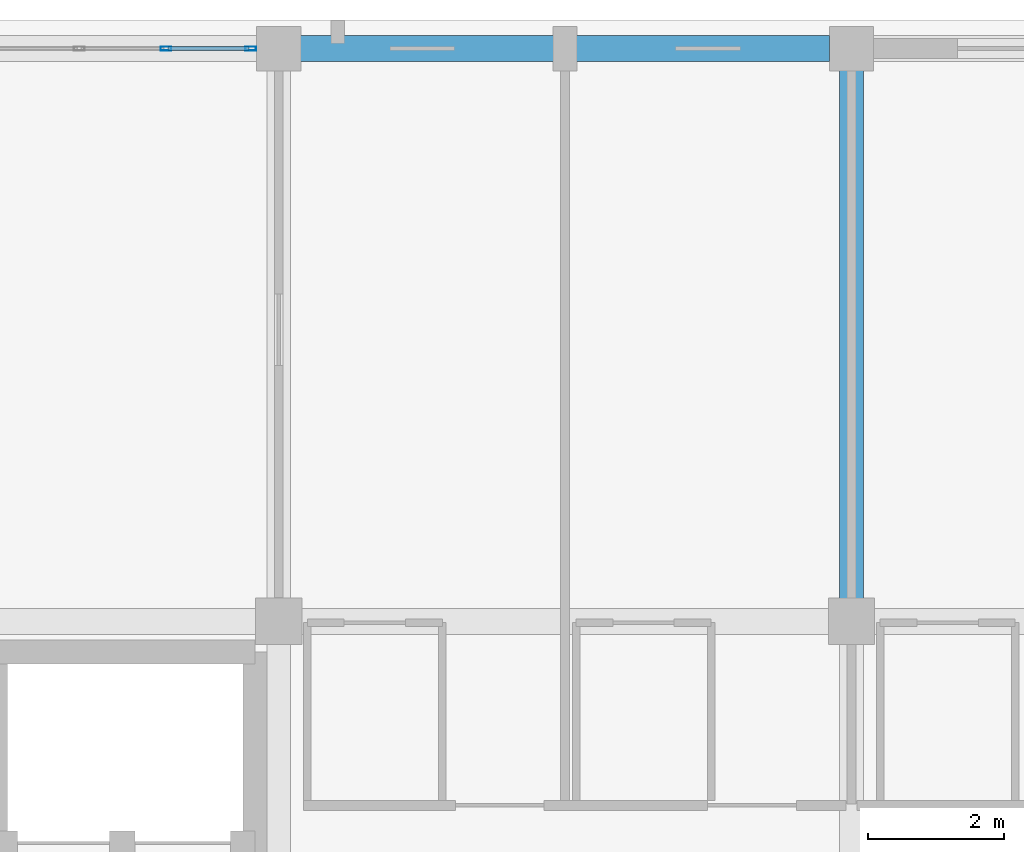
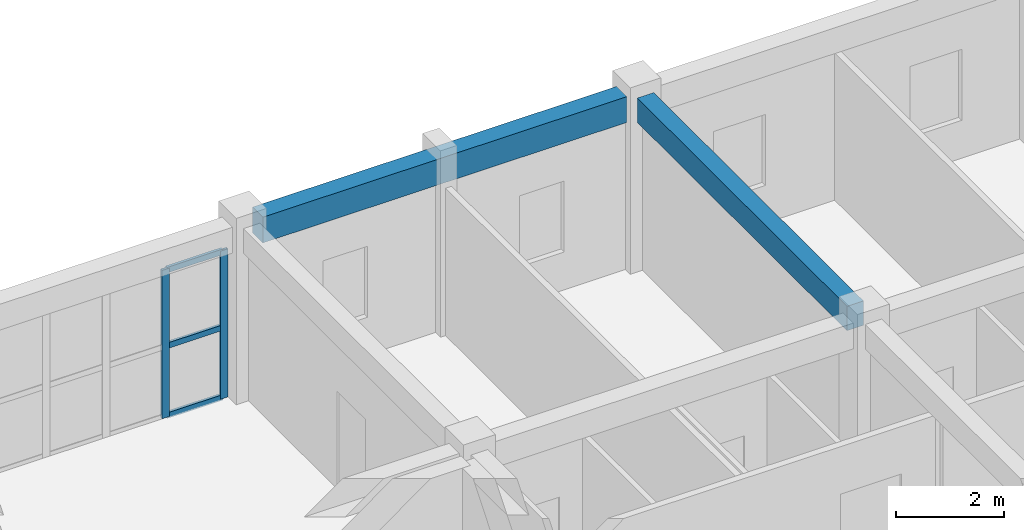
# One storey, part 43 of 90: 5 members, 2 beams, 1 element without a shape of its own.
"""IFC4 building model written with IfcOpenShell, lengths in metres."""

from ifc_helpers import new_model, si_unit, direction, frame, origin, origin_2d, place, context, subcontext, project, spatial, rectangle, hollow_rectangle, extrude, material, layer, layer_set, material_profile, profile_set, type_object, element, aggregate, save


model = new_model("IFC4")

# Units and contexts
model_context = context("Model", 3, precision=1e-05, world=origin(), true_north=direction((0.0, 1.0)))
body_context = subcontext(model_context, "Body", "Model", "MODEL_VIEW")
ifc_project = project(units=[si_unit("LENGTHUNIT", "METRE"), si_unit("AREAUNIT", "SQUARE_METRE"), si_unit("VOLUMEUNIT", "CUBIC_METRE"), si_unit("PLANEANGLEUNIT", "RADIAN"), si_unit("MASSUNIT", "GRAM", prefix="KILO")], contexts=[model_context])

# Site, building, storey
site_placement = place(None, origin())
site = spatial("IfcSite", under=ifc_project, at=site_placement, CompositionType="ELEMENT")
building_placement = place(site_placement, origin())
building = spatial("IfcBuilding", under=site, at=building_placement, Name="Trelvath General Hospital", CompositionType="ELEMENT")
storey_placement = place(building_placement, frame((0.0, 0.0, 20.39990234375)))
storey = spatial("IfcBuildingStorey", under=building, at=storey_placement, Name="L05", CompositionType="ELEMENT", Elevation=20.39990234375)

# Beams
ifc_material_1 = material(Name="Concrete C35/45", Category="concrete")
ifc_material_profile_1 = material_profile(ifc_material_1, rectangle(XDim=0.35009765625, YDim=0.550048828125, at=origin_2d()), Name="RCB350x550")
ifc_profile_set_1 = profile_set([ifc_material_profile_1], Name="Concrete C35/45")
beam_type_1 = type_object("IfcBeamType", Name="Beam RC350x550", PredefinedType="BEAM", material=ifc_profile_set_1)
beam_1_placement = place(storey_placement, frame((58.800048828125, 109.534912109375, 3.64501953125), z_axis=(0.0, 1.0, 0.0), x_axis=(-1.0, 0.0, 0.0)))
element("IfcBeam", 1, at=beam_1_placement, inside=storey, type_object=beam_type_1, Name="Grid Beam BY-507N", PredefinedType="BEAM", context=body_context, shape_type="SweptSolid", body=[
    extrude(rectangle(XDim=0.35009765625, YDim=0.550048828125, at=origin_2d()), origin(), (0.0, 0.0, 1.0), 7.7451171875),
])
ifc_material_2 = material(Name="Concrete C35/45", Category="concrete")
ifc_material_profile_2 = material_profile(ifc_material_2, rectangle(XDim=0.3798828125, YDim=0.580078125, at=origin_2d()), Name="RCB380x580")
ifc_profile_set_2 = profile_set([ifc_material_profile_2], Name="Concrete C35/45")
beam_type_2 = type_object("IfcBeamType", Name="Beam RC380x580", PredefinedType="BEAM", material=ifc_profile_set_2)
beam_2_placement = place(storey_placement, frame((50.719970703125, 117.60009765625, 3.630126953125), z_axis=(1.0, 0.0, 0.0), x_axis=(0.0, 1.0, 0.0)))
element("IfcBeam", 2, at=beam_2_placement, inside=storey, type_object=beam_type_2, Name="Grid Beam BX-506O", PredefinedType="BEAM", context=body_context, shape_type="SweptSolid", body=[
    extrude(rectangle(XDim=0.3798828125, YDim=0.580078125, at=origin_2d()), origin(), (0.0, 0.0, 1.0), 7.760009765625),
])

# Curtain wall, members
ifc_material_3 = material(Name="Anodised aluminium and low-E glass", Category="aluminium")
ifc_layer = layer(ifc_material_3, 0.14990234375)
ifc_layer_set = layer_set([ifc_layer], Name="Anodised aluminium and low-E glass")
curtain_wall_type = type_object("IfcCurtainWallType", Name="CW Facade 764 334 15", PredefinedType="USERDEFINED", material=ifc_layer_set)
curtain_wall_placement = place(storey_placement, origin())
curtain_wall = element("IfcCurtainWall", 3, at=curtain_wall_placement, inside=storey, type_object=curtain_wall_type, Name="Facade Curtain Wall CW-069", ObjectType="Unitised Glazed Curtain Wall", PredefinedType="USERDEFINED")
ifc_material_4 = material(Name="Anodised aluminium", Category="aluminium")
ifc_material_profile_3 = material_profile(ifc_material_4, hollow_rectangle(XDim=0.06005859375, YDim=0.159912109375, WallThickness=0.00390625, at=origin_2d()), Name="RHS60x160x4")
ifc_profile_set_3 = profile_set([ifc_material_profile_3], Name="Anodised aluminium")
member_type_1 = type_object("IfcMemberType", Name="CurtainMullion 60x160", PredefinedType="MULLION", material=ifc_profile_set_3)
member_1_placement = place(storey_placement, frame((48.74658203125, 117.60009765625, 0.0), z_axis=(0.0, 0.0, 1.0), x_axis=(0.0, 1.0, 0.0)))
member_1 = element("IfcMember", 4, at=member_1_placement, type_object=member_type_1, Name="CW-069 mullion 6", PredefinedType="MULLION", context=body_context, shape_type="SweptSolid", body=[
    extrude(hollow_rectangle(XDim=0.06005859375, YDim=0.159912109375, WallThickness=0.00390625, at=origin_2d()), origin(), (0.0, 0.0, 1.0), 3.340087890625),
])
member_2_placement = place(storey_placement, frame((49.989990234375, 117.60009765625, 0.0), z_axis=(0.0, 0.0, 1.0), x_axis=(0.0, 1.0, 0.0)))
member_2 = element("IfcMember", 5, at=member_2_placement, type_object=member_type_1, Name="CW-069 mullion 7", PredefinedType="MULLION", context=body_context, shape_type="SweptSolid", body=[
    extrude(hollow_rectangle(XDim=0.06005859375, YDim=0.159912109375, WallThickness=0.00390625, at=origin_2d()), origin(), (0.0, 0.0, 1.0), 3.340087890625),
])
ifc_material_5 = material(Name="Anodised aluminium", Category="aluminium")
ifc_material_profile_4 = material_profile(ifc_material_5, hollow_rectangle(XDim=0.06005859375, YDim=0.125, WallThickness=0.00390625, at=origin_2d()), Name="RHS60x125x4")
ifc_profile_set_4 = profile_set([ifc_material_profile_4], Name="Anodised aluminium")
member_type_2 = type_object("IfcMemberType", Name="CurtainTransom 60x125", PredefinedType="USERDEFINED", material=ifc_profile_set_4)
member_3_placement = place(storey_placement, frame((48.776611328125, 117.60009765625, 0.030029296875), z_axis=(1.0, 0.0, 0.0), x_axis=(0.0, 1.0, 0.0)))
member_3 = element("IfcMember", 6, at=member_3_placement, type_object=member_type_2, Name="CW-069 transom 6.1", ObjectType="TRANSOM", PredefinedType="USERDEFINED", context=body_context, shape_type="SweptSolid", body=[
    extrude(hollow_rectangle(XDim=0.06005859375, YDim=0.125, WallThickness=0.00390625, at=origin_2d()), origin(), (0.0, 0.0, 1.0), 1.183349609375),
])
member_4_placement = place(storey_placement, frame((48.776611328125, 117.60009765625, 1.60302734375), z_axis=(1.0, 0.0, 0.0), x_axis=(0.0, 1.0, 0.0)))
member_4 = element("IfcMember", 7, at=member_4_placement, type_object=member_type_2, Name="CW-069 transom 6.2", ObjectType="TRANSOM", PredefinedType="USERDEFINED", context=body_context, shape_type="SweptSolid", body=[
    extrude(hollow_rectangle(XDim=0.06005859375, YDim=0.125, WallThickness=0.00390625, at=origin_2d()), origin(), (0.0, 0.0, 1.0), 1.183349609375),
])
member_5_placement = place(storey_placement, frame((48.776611328125, 117.60009765625, 3.31005859375), z_axis=(1.0, 0.0, 0.0), x_axis=(0.0, 1.0, 0.0)))
member_5 = element("IfcMember", 8, at=member_5_placement, type_object=member_type_2, Name="CW-069 transom 6.3", ObjectType="TRANSOM", PredefinedType="USERDEFINED", context=body_context, shape_type="SweptSolid", body=[
    extrude(hollow_rectangle(XDim=0.06005859375, YDim=0.125, WallThickness=0.00390625, at=origin_2d()), origin(), (0.0, 0.0, 1.0), 1.183349609375),
])
aggregate(curtain_wall, [member_1, member_2, member_3, member_4, member_5])

save(model, "model.ifc")
